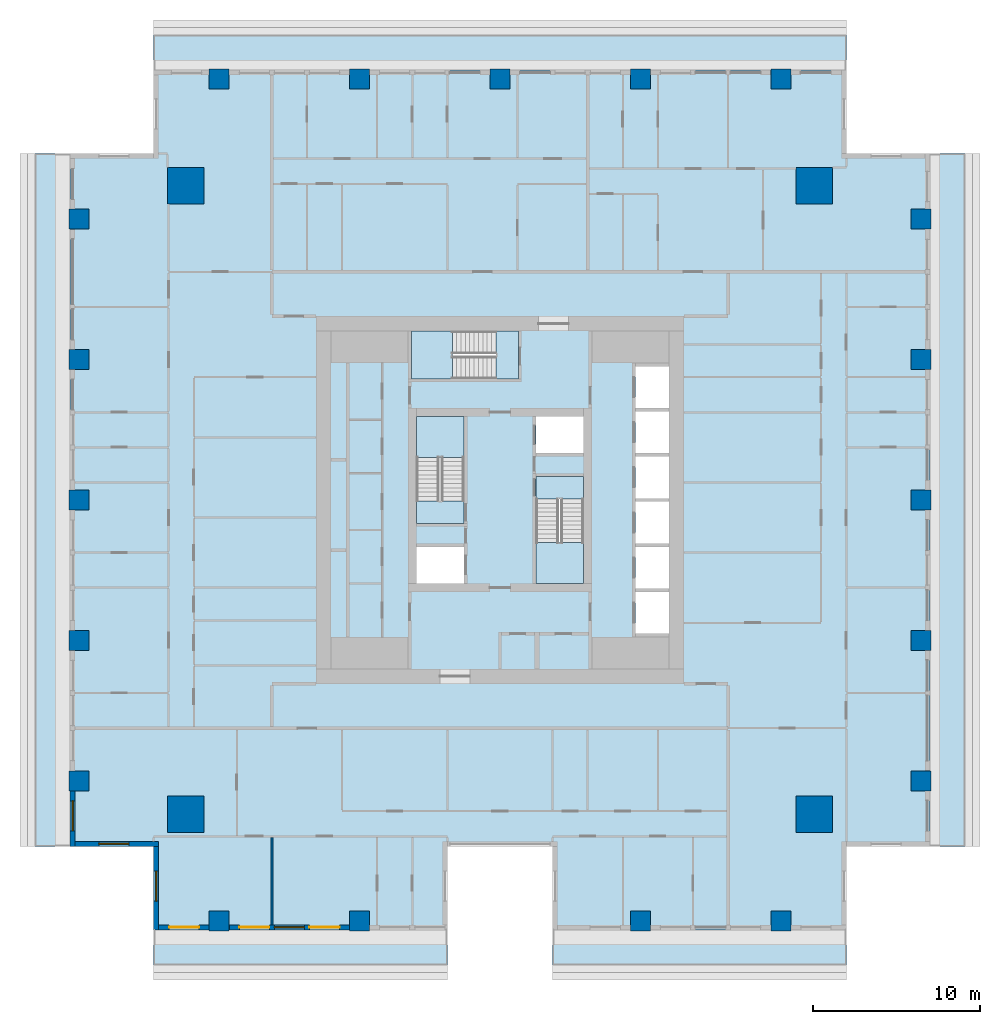
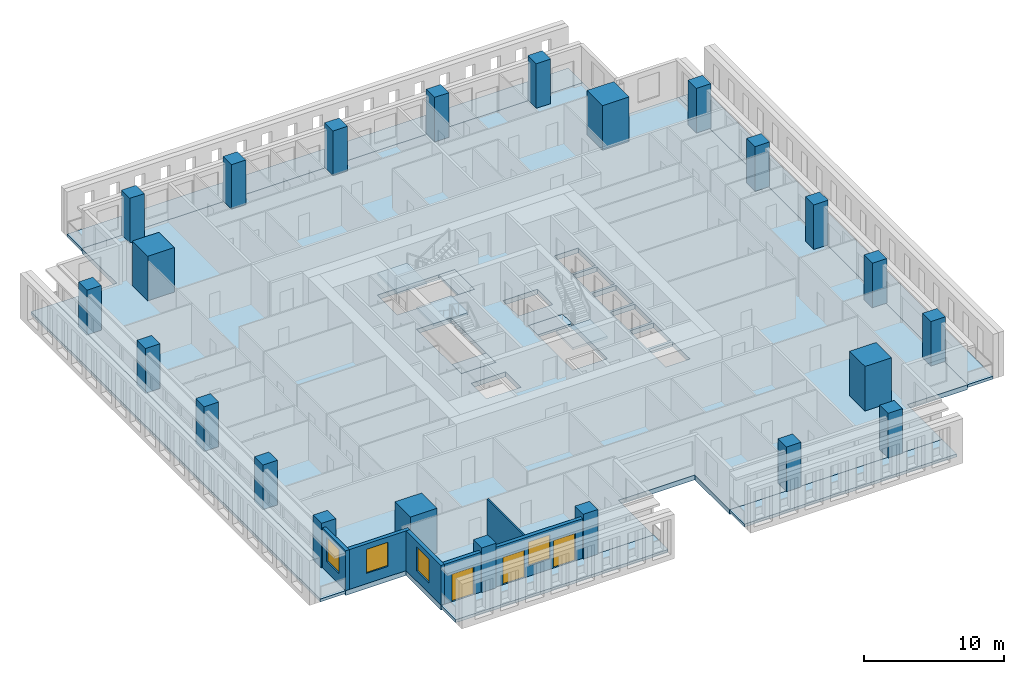
# One storey, part 1 of 15: 23 columns, 12 slabs, 6 walls, 4 windows, 3 doors, 7 openings, 3 elements without a shape of their own.
"""IFC4 building model written with IfcOpenShell, lengths in metres."""

from ifc_helpers import new_model, si_unit, direction, frame, frame_2d, origin, origin_2d, place, context, subcontext, project, spatial, polyline, rectangle, outline, extrude, material, layer, layer_set, material_profile, profile_set, type_object, element, fill, aggregate, save


model = new_model("IFC4")

# Units and contexts
model_context = context("Model", 3, precision=1e-05, world=origin(), true_north=direction((0.0, 1.0)))
body_context = subcontext(model_context, "Body", "Model", "MODEL_VIEW")
ifc_project = project(units=[si_unit("LENGTHUNIT", "METRE"), si_unit("AREAUNIT", "SQUARE_METRE"), si_unit("VOLUMEUNIT", "CUBIC_METRE"), si_unit("PLANEANGLEUNIT", "RADIAN"), si_unit("MASSUNIT", "GRAM", prefix="KILO")], contexts=[model_context])

# Site, building, storey
site_placement = place(None, origin())
site = spatial("IfcSite", under=ifc_project, at=site_placement, CompositionType="ELEMENT")
building_placement = place(site_placement, origin())
building = spatial("IfcBuilding", under=site, at=building_placement, Name="Khepri Terraces", CompositionType="ELEMENT")
storey_placement = place(building_placement, frame((0.0, 0.0, 244.5)))
storey = spatial("IfcBuildingStorey", under=building, at=storey_placement, Name="L58", CompositionType="ELEMENT", Elevation=244.5)

# Columns
ifc_material_1 = material(Name="Concrete C40/50", Category="concrete")
ifc_material_profile_1 = material_profile(ifc_material_1, rectangle(XDim=2.199951171875, YDim=2.199951171875, at=origin_2d()), Name="Concrete C40/50", Category="concrete")
ifc_profile_set_1 = profile_set([ifc_material_profile_1], Name="Concrete C40/50")
column_type_1 = type_object("IfcColumnType", Name="Mega column RC 2200x2200 C40/50", PredefinedType="COLUMN", material=ifc_profile_set_1)
for number, where, z_axis, x_axis, name in (
    (1, (18.800048828125, 18.800048828125, 0.0), (0.0, 0.0, 1.0), (1.0, 0.0, 0.0), "Mega column MEN L58"),
    (2, (18.800048828125, -18.800048828125, 0.0), (0.0, 0.0, 1.0), (1.0, 0.0, 0.0), "Mega column MES L58"),
    (3, (-18.800048828125, 18.800048828125, 0.0), (0.0, 0.0, 1.0), (1.0, 0.0, 0.0), "Mega column MWN L58"),
    (4, (-18.800048828125, -18.800048828125, 0.0), (0.0, 0.0, 1.0), (1.0, 0.0, 0.0), "Mega column MWS L58"),
):
    element("IfcColumn", number, at=place(storey_placement, frame(where, z_axis=z_axis, x_axis=x_axis)), inside=storey, type_object=column_type_1, Name=name, PredefinedType="COLUMN", context=body_context, shape_type="SweptSolid", body=[
        extrude(rectangle(XDim=2.199951171875, YDim=2.199951171875, at=origin_2d()), origin(), (0.0, 0.0, 1.0), 3.89990234375),
    ])
ifc_material_profile_2 = material_profile(ifc_material_1, rectangle(XDim=1.199951171875, YDim=1.199951171875, at=origin_2d()), Name="Concrete C40/50", Category="concrete")
ifc_profile_set_2 = profile_set([ifc_material_profile_2], Name="Concrete C40/50")
column_type_2 = type_object("IfcColumnType", Name="Tower column RC 1200x1200 C40/50", PredefinedType="COLUMN", material=ifc_profile_set_2)
for number, where, z_axis, x_axis, name in (
    (5, (25.199951171875, 0.0, 0.0), (0.0, 0.0, 1.0), (1.0, 0.0, 0.0), "Perimeter column PE+000b L58"),
    (6, (25.199951171875, 8.39990234375, 0.0), (0.0, 0.0, 1.0), (1.0, 0.0, 0.0), "Perimeter column PE+084b L58"),
    (7, (25.199951171875, 16.800048828125, 0.0), (0.0, 0.0, 1.0), (1.0, 0.0, 0.0), "Perimeter column PE+168a L58"),
    (8, (25.199951171875, -8.39990234375, 0.0), (0.0, 0.0, 1.0), (1.0, 0.0, 0.0), "Perimeter column PE-084b L58"),
    (9, (25.199951171875, -16.800048828125, 0.0), (0.0, 0.0, 1.0), (1.0, 0.0, 0.0), "Perimeter column PE-168a L58"),
    (10, (0.0, 25.199951171875, 0.0), (0.0, 0.0, 1.0), (1.0, 0.0, 0.0), "Perimeter column PN+000b L58"),
    (11, (-8.39990234375, 25.199951171875, 0.0), (0.0, 0.0, 1.0), (1.0, 0.0, 0.0), "Perimeter column PN+084b L58"),
    (12, (-16.800048828125, 25.199951171875, 0.0), (0.0, 0.0, 1.0), (1.0, 0.0, 0.0), "Perimeter column PN+168a L58"),
    (13, (8.39990234375, 25.199951171875, 0.0), (0.0, 0.0, 1.0), (1.0, 0.0, 0.0), "Perimeter column PN-084b L58"),
    (14, (16.800048828125, 25.199951171875, 0.0), (0.0, 0.0, 1.0), (1.0, 0.0, 0.0), "Perimeter column PN-168a L58"),
    (15, (8.39990234375, -25.199951171875, 0.0), (0.0, 0.0, 1.0), (1.0, 0.0, 0.0), "Perimeter column PS+084b L58"),
    (16, (16.800048828125, -25.199951171875, 0.0), (0.0, 0.0, 1.0), (1.0, 0.0, 0.0), "Perimeter column PS+168a L58"),
    (17, (-8.39990234375, -25.199951171875, 0.0), (0.0, 0.0, 1.0), (1.0, 0.0, 0.0), "Perimeter column PS-084b L58"),
    (18, (-16.800048828125, -25.199951171875, 0.0), (0.0, 0.0, 1.0), (1.0, 0.0, 0.0), "Perimeter column PS-168a L58"),
    (19, (-25.199951171875, 0.0, 0.0), (0.0, 0.0, 1.0), (1.0, 0.0, 0.0), "Perimeter column PW+000b L58"),
    (20, (-25.199951171875, -8.39990234375, 0.0), (0.0, 0.0, 1.0), (1.0, 0.0, 0.0), "Perimeter column PW+084b L58"),
    (21, (-25.199951171875, -16.800048828125, 0.0), (0.0, 0.0, 1.0), (1.0, 0.0, 0.0), "Perimeter column PW+168a L58"),
    (22, (-25.199951171875, 8.39990234375, 0.0), (0.0, 0.0, 1.0), (1.0, 0.0, 0.0), "Perimeter column PW-084b L58"),
    (23, (-25.199951171875, 16.800048828125, 0.0), (0.0, 0.0, 1.0), (1.0, 0.0, 0.0), "Perimeter column PW-168a L58"),
):
    element("IfcColumn", number, at=place(storey_placement, frame(where, z_axis=z_axis, x_axis=x_axis)), inside=storey, type_object=column_type_2, Name=name, PredefinedType="COLUMN", context=body_context, shape_type="SweptSolid", body=[
        extrude(rectangle(XDim=1.199951171875, YDim=1.199951171875, at=origin_2d()), origin(), (0.0, 0.0, 1.0), 3.89990234375),
    ])

# Slabs
ifc_layer_1 = layer(ifc_material_1, 0.419921875, Name="Concrete C40/50", Category="concrete")
ifc_layer_set_1 = layer_set([ifc_layer_1], Name="Concrete C40/50")
slab_type_1 = type_object("IfcSlabType", Name="Flat plate 420", PredefinedType="FLOOR", material=ifc_layer_set_1)
slab_1_placement = place(storey_placement, frame((0.0, 0.0, -0.419921875)))
element("IfcSlab", 24, at=slab_1_placement, inside=storey, type_object=slab_type_1, Name="Floor slab F01 L58", PredefinedType="FLOOR", context=body_context, shape_type="SweptSolid", body=[
    extrude(outline(polyline([(-20.719970703125, 25.719970703125), (20.719970703125, 25.719970703125), (20.719970703125, 20.719970703125), (25.719970703125, 20.719970703125), (25.719970703125, -20.719970703125), (20.719970703125, -20.719970703125), (20.719970703125, -25.719970703125), (3.14990234375, -25.719970703125), (3.14990234375, -20.719970703125), (-3.14990234375, -20.719970703125), (-3.14990234375, -25.719970703125), (-20.719970703125, -25.719970703125), (-20.719970703125, -20.719970703125), (-25.719970703125, -20.719970703125), (-25.719970703125, 20.719970703125), (-20.719970703125, 20.719970703125), (-20.719970703125, 25.719970703125)]), holes=[polyline([(2.14990234375, 2.800048828125), (5.0, 2.800048828125), (5.0, 5.0), (2.14990234375, 5.0), (2.14990234375, 2.800048828125)]), polyline([(-5.0, -2.800048828125), (-5.0, -5.0), (-2.14990234375, -5.0), (-2.14990234375, -2.800048828125), (-5.0, -2.800048828125)]), polyline([(10.10009765625, -5.5), (8.10009765625, -5.5), (8.10009765625, -8.0), (10.10009765625, -8.0), (10.10009765625, -5.5)]), polyline([(10.10009765625, -5.300048828125), (10.10009765625, -2.800048828125), (8.10009765625, -2.800048828125), (8.10009765625, -5.300048828125), (10.10009765625, -5.300048828125)]), polyline([(8.10009765625, -2.60009765625), (10.10009765625, -2.60009765625), (10.10009765625, -0.10009765625), (8.10009765625, -0.10009765625), (8.10009765625, -2.60009765625)]), polyline([(8.10009765625, 2.60009765625), (8.10009765625, 0.10009765625), (10.10009765625, 0.10009765625), (10.10009765625, 2.60009765625), (8.10009765625, 2.60009765625)]), polyline([(10.10009765625, 5.300048828125), (8.10009765625, 5.300048828125), (8.10009765625, 2.800048828125), (10.10009765625, 2.800048828125), (10.10009765625, 5.300048828125)]), polyline([(10.10009765625, 5.5), (10.10009765625, 8.0), (8.10009765625, 8.0), (8.10009765625, 5.5), (10.10009765625, 5.5)]), polyline([(-5.0, -1.39990234375), (-2.14990234375, -1.39990234375), (-2.14990234375, 5.0), (-5.0, 5.0), (-5.0, -1.39990234375)]), polyline([(5.0, -5.0), (5.0, 1.39990234375), (2.14990234375, 1.39990234375), (2.14990234375, -5.0), (5.0, -5.0)]), polyline([(-5.300048828125, 10.10009765625), (-5.300048828125, 7.25), (1.10009765625, 7.25), (1.10009765625, 10.10009765625), (-5.300048828125, 10.10009765625)])]), origin(), (0.0, 0.0, 1.0), 0.419921875),
])
ifc_material_2 = material(Name="Precast concrete C50/60 warm stone", Category="masonry")
ifc_layer_2 = layer(ifc_material_2, 0.25, Name="Precast concrete C50/60 warm stone", Category="masonry")
ifc_layer_set_2 = layer_set([ifc_layer_2], Name="Precast concrete C50/60 warm stone")
slab_type_2 = type_object("IfcSlabType", Name="SLB-BALCONY-250", PredefinedType="FLOOR", material=ifc_layer_set_2)
slab_2_placement = place(storey_placement, frame((0.0, 0.0, -0.25)))
element("IfcSlab", 25, at=slab_2_placement, inside=storey, type_object=slab_type_2, Name="Balcony slab L58 S", PredefinedType="FLOOR", context=body_context, shape_type="SweptSolid", body=[
    extrude(outline(polyline([(-17.39990234375, -25.719970703125), (-20.719970703125, -25.719970703125), (-20.719970703125, -27.820068359375), (-3.14990234375, -27.820068359375), (-3.14990234375, -25.719970703125), (-7.800048828125, -25.719970703125), (-7.800048828125, -25.800048828125), (-9.0, -25.800048828125), (-9.0, -25.719970703125), (-16.199951171875, -25.719970703125), (-16.199951171875, -25.800048828125), (-17.39990234375, -25.800048828125), (-17.39990234375, -25.719970703125)])), origin(), (0.0, 0.0, 1.0), 0.25),
])
slab_3_placement = place(storey_placement, frame((0.0, 0.0, -0.25)))
element("IfcSlab", 26, at=slab_3_placement, inside=storey, type_object=slab_type_2, Name="Balcony slab L58 S", PredefinedType="FLOOR", context=body_context, shape_type="SweptSolid", body=[
    extrude(outline(polyline([(7.800048828125, -25.719970703125), (3.14990234375, -25.719970703125), (3.14990234375, -27.820068359375), (20.719970703125, -27.820068359375), (20.719970703125, -25.719970703125), (17.39990234375, -25.719970703125), (17.39990234375, -25.800048828125), (16.199951171875, -25.800048828125), (16.199951171875, -25.719970703125), (9.0, -25.719970703125), (9.0, -25.800048828125), (7.800048828125, -25.800048828125), (7.800048828125, -25.719970703125)])), origin(), (0.0, 0.0, 1.0), 0.25),
])
slab_4_placement = place(storey_placement, frame((0.0, 0.0, -0.25)))
element("IfcSlab", 27, at=slab_4_placement, inside=storey, type_object=slab_type_2, Name="Balcony slab L58 E", PredefinedType="FLOOR", context=body_context, shape_type="SweptSolid", body=[
    extrude(outline(polyline([(25.719970703125, -17.39990234375), (25.719970703125, -20.719970703125), (27.820068359375, -20.719970703125), (27.820068359375, 20.719970703125), (25.719970703125, 20.719970703125), (25.719970703125, 17.39990234375), (25.800048828125, 17.39990234375), (25.800048828125, 16.199951171875), (25.719970703125, 16.199951171875), (25.719970703125, 9.0), (25.800048828125, 9.0), (25.800048828125, 7.800048828125), (25.719970703125, 7.800048828125), (25.719970703125, 0.60009765625), (25.800048828125, 0.60009765625), (25.800048828125, -0.60009765625), (25.719970703125, -0.60009765625), (25.719970703125, -7.800048828125), (25.800048828125, -7.800048828125), (25.800048828125, -9.0), (25.719970703125, -9.0), (25.719970703125, -16.199951171875), (25.800048828125, -16.199951171875), (25.800048828125, -17.39990234375), (25.719970703125, -17.39990234375)])), origin(), (0.0, 0.0, 1.0), 0.25),
])
slab_5_placement = place(storey_placement, frame((0.0, 0.0, -0.25)))
element("IfcSlab", 28, at=slab_5_placement, inside=storey, type_object=slab_type_2, Name="Balcony slab L58 N", PredefinedType="FLOOR", context=body_context, shape_type="SweptSolid", body=[
    extrude(outline(polyline([(17.39990234375, 25.719970703125), (20.719970703125, 25.719970703125), (20.719970703125, 27.820068359375), (-20.719970703125, 27.820068359375), (-20.719970703125, 25.719970703125), (-17.39990234375, 25.719970703125), (-17.39990234375, 25.800048828125), (-16.199951171875, 25.800048828125), (-16.199951171875, 25.719970703125), (-9.0, 25.719970703125), (-9.0, 25.800048828125), (-7.800048828125, 25.800048828125), (-7.800048828125, 25.719970703125), (-0.60009765625, 25.719970703125), (-0.60009765625, 25.800048828125), (0.60009765625, 25.800048828125), (0.60009765625, 25.719970703125), (7.800048828125, 25.719970703125), (7.800048828125, 25.800048828125), (9.0, 25.800048828125), (9.0, 25.719970703125), (16.199951171875, 25.719970703125), (16.199951171875, 25.800048828125), (17.39990234375, 25.800048828125), (17.39990234375, 25.719970703125)])), origin(), (0.0, 0.0, 1.0), 0.25),
])
slab_6_placement = place(storey_placement, frame((0.0, 0.0, -0.25)))
element("IfcSlab", 29, at=slab_6_placement, inside=storey, type_object=slab_type_2, Name="Balcony slab L58 W", PredefinedType="FLOOR", context=body_context, shape_type="SweptSolid", body=[
    extrude(outline(polyline([(-25.719970703125, 17.39990234375), (-25.719970703125, 20.719970703125), (-27.820068359375, 20.719970703125), (-27.820068359375, -20.719970703125), (-25.719970703125, -20.719970703125), (-25.719970703125, -17.39990234375), (-25.800048828125, -17.39990234375), (-25.800048828125, -16.199951171875), (-25.719970703125, -16.199951171875), (-25.719970703125, -9.0), (-25.800048828125, -9.0), (-25.800048828125, -7.800048828125), (-25.719970703125, -7.800048828125), (-25.719970703125, -0.60009765625), (-25.800048828125, -0.60009765625), (-25.800048828125, 0.60009765625), (-25.719970703125, 0.60009765625), (-25.719970703125, 7.800048828125), (-25.800048828125, 7.800048828125), (-25.800048828125, 9.0), (-25.719970703125, 9.0), (-25.719970703125, 16.199951171875), (-25.800048828125, 16.199951171875), (-25.800048828125, 17.39990234375), (-25.719970703125, 17.39990234375)])), origin(), (0.0, 0.0, 1.0), 0.25),
])

# Stair, slabs
stair_type = type_object("IfcStairType", Name="STAIR-RC-22R", PredefinedType="HALF_TURN_STAIR", material=ifc_material_1)
stair_1_placement = place(storey_placement, origin())
stair_1 = element("IfcStair", 30, at=stair_1_placement, inside=storey, type_object=stair_type, Name="L58 Exit Stair ST-1", PredefinedType="HALF_TURN_STAIR")
ifc_layer_3 = layer(ifc_material_1, 0.199951171875, Name="Concrete C40/50", Category="concrete")
ifc_layer_set_3 = layer_set([ifc_layer_3], Name="Concrete C40/50")
slab_type_3 = type_object("IfcSlabType", Name="SLB-CORE-LANDING", PredefinedType="LANDING", material=ifc_layer_set_3)
slab_7_placement = place(storey_placement, frame((0.0, 0.0, -0.199951171875)))
slab_7 = element("IfcSlab", 31, at=slab_7_placement, type_object=slab_type_3, Name="ST-1 landing 1", PredefinedType="LANDING", context=body_context, shape_type="SweptSolid", body=[
    extrude(outline(polyline([(-2.14990234375, -1.39990234375), (-2.14990234375, -0.050048828125), (-5.0, -0.050048828125), (-5.0, -1.39990234375), (-2.14990234375, -1.39990234375)])), origin(), (0.0, 0.0, 1.0), 0.199951171875),
])
slab_8_placement = place(storey_placement, frame((0.0, 0.0, 1.75)))
slab_8 = element("IfcSlab", 32, at=slab_8_placement, type_object=slab_type_3, Name="ST-1 landing 2", PredefinedType="LANDING", context=body_context, shape_type="SweptSolid", body=[
    extrude(outline(polyline([(-2.14990234375, 2.550048828125), (-2.14990234375, 5.0), (-5.0, 5.0), (-5.0, 2.550048828125), (-2.14990234375, 2.550048828125)])), origin(), (0.0, 0.0, 1.0), 0.199951171875),
])
aggregate(stair_1, [slab_7, slab_8])

stair_2_placement = place(storey_placement, origin())
stair_2 = element("IfcStair", 33, at=stair_2_placement, inside=storey, type_object=stair_type, Name="L58 Exit Stair ST-2", PredefinedType="HALF_TURN_STAIR")
slab_9_placement = place(storey_placement, frame((0.0, 0.0, -0.199951171875)))
slab_9 = element("IfcSlab", 34, at=slab_9_placement, type_object=slab_type_3, Name="ST-2 landing 1", PredefinedType="LANDING", context=body_context, shape_type="SweptSolid", body=[
    extrude(outline(polyline([(2.14990234375, 1.39990234375), (2.14990234375, 0.050048828125), (5.0, 0.050048828125), (5.0, 1.39990234375), (2.14990234375, 1.39990234375)])), origin(), (0.0, 0.0, 1.0), 0.199951171875),
])
slab_10_placement = place(storey_placement, frame((0.0, 0.0, 1.75)))
slab_10 = element("IfcSlab", 35, at=slab_10_placement, type_object=slab_type_3, Name="ST-2 landing 2", PredefinedType="LANDING", context=body_context, shape_type="SweptSolid", body=[
    extrude(outline(polyline([(2.14990234375, -2.550048828125), (2.14990234375, -5.0), (5.0, -5.0), (5.0, -2.550048828125), (2.14990234375, -2.550048828125)])), origin(), (0.0, 0.0, 1.0), 0.199951171875),
])
aggregate(stair_2, [slab_9, slab_10])

stair_3_placement = place(storey_placement, origin())
stair_3 = element("IfcStair", 36, at=stair_3_placement, inside=storey, type_object=stair_type, Name="L58 Exit Stair ST-3", PredefinedType="HALF_TURN_STAIR")
slab_11_placement = place(storey_placement, frame((0.0, 0.0, -0.199951171875)))
slab_11 = element("IfcSlab", 37, at=slab_11_placement, type_object=slab_type_3, Name="ST-3 landing 1", PredefinedType="LANDING", context=body_context, shape_type="SweptSolid", body=[
    extrude(outline(polyline([(1.10009765625, 10.10009765625), (-0.25, 10.10009765625), (-0.25, 7.25), (1.10009765625, 7.25), (1.10009765625, 10.10009765625)])), origin(), (0.0, 0.0, 1.0), 0.199951171875),
])
slab_12_placement = place(storey_placement, frame((0.0, 0.0, 1.75)))
slab_12 = element("IfcSlab", 38, at=slab_12_placement, type_object=slab_type_3, Name="ST-3 landing 2", PredefinedType="LANDING", context=body_context, shape_type="SweptSolid", body=[
    extrude(outline(polyline([(-2.85009765625, 10.10009765625), (-5.300048828125, 10.10009765625), (-5.300048828125, 7.25), (-2.85009765625, 7.25), (-2.85009765625, 10.10009765625)])), origin(), (0.0, 0.0, 1.0), 0.199951171875),
])
aggregate(stair_3, [slab_11, slab_12])

# Wall, opening, window
ifc_layer_4 = layer(ifc_material_2, 0.300048828125, Name="Precast concrete C50/60 warm stone", Category="masonry")
ifc_layer_set_4 = layer_set([ifc_layer_4], Name="Precast concrete C50/60 warm stone")
wall_type_1 = type_object("IfcWallType", Name="WL-EXT-PRECAST-300", PredefinedType="STANDARD", material=ifc_layer_set_4)
wall_1_placement = place(storey_placement, frame((-25.570068359375, -17.39990234375, 0.0), z_axis=(0.0, 0.0, 1.0), x_axis=(0.0, -1.0, 0.0)))
wall_1 = element("IfcWall", 39, at=wall_1_placement, inside=storey, type_object=wall_type_1, Name="External wall L58 W", PredefinedType="STANDARD", context=body_context, shape_type="SweptSolid", body=[
    extrude(rectangle(XDim=3.320068359375, YDim=0.300048828125, at=frame_2d((1.66015625, 0.0))), origin(), (0.0, 0.0, 1.0), 3.47998046875),
])
opening_1_placement = place(wall_1_placement, frame((0.60009765625, 0.0, 0.89990234375)))
opening_1 = element("IfcOpeningElement", 40, at=opening_1_placement, cuts=wall_1, Name="Opening W1", PredefinedType="OPENING", context=body_context, shape_type="SweptSolid", body=[
    extrude(rectangle(XDim=1.800048828125, YDim=2.10009765625, at=frame_2d((0.89990234375, 1.050048828125))), frame((0.0, 0.16015625, 0.0), z_axis=(0.0, -1.0, 0.0), x_axis=(1.0, 0.0, 0.0)), (0.0, 0.0, 1.0), 0.320068359375),
])
ifc_material_3 = material(Name="Clear glass", Category="glass")
window_type = type_object("IfcWindowType", Name="WIN-RES-1800x2100", PartitioningType="SINGLE_PANEL", PredefinedType="WINDOW", material=ifc_material_3)
window_1_placement = place(opening_1_placement, origin())
window_1 = element("IfcWindow", 41, at=window_1_placement, inside=storey, type_object=window_type, Name="Window L58 W", OverallHeight=2.10009765625, OverallWidth=1.800048828125, PartitioningType="SINGLE_PANEL", PredefinedType="WINDOW", context=body_context, shape_type="SweptSolid", body=[
    extrude(rectangle(XDim=1.800048828125, YDim=2.10009765625, at=frame_2d((0.89990234375, 1.050048828125))), frame((0.0, 0.030029296875, 0.0), z_axis=(0.0, -1.0, 0.0), x_axis=(1.0, 0.0, 0.0)), (0.0, 0.0, 1.0), 0.06005859375),
])
fill(opening_1, window_1)

wall_2_placement = place(storey_placement, frame((-25.419921875, -20.570068359375, 0.0), z_axis=(0.0, 0.0, 1.0), x_axis=(1.0, 0.0, 0.0)))
wall_2 = element("IfcWall", 42, at=wall_2_placement, inside=storey, type_object=wall_type_1, Name="External wall L58 S", PredefinedType="STANDARD", context=body_context, shape_type="SweptSolid", body=[
    extrude(rectangle(XDim=5.0, YDim=0.300048828125, at=frame_2d((2.5, 0.0))), origin(), (0.0, 0.0, 1.0), 3.47998046875),
])
opening_2_placement = place(wall_2_placement, frame((1.419921875, 0.0, 0.89990234375)))
opening_2 = element("IfcOpeningElement", 43, at=opening_2_placement, cuts=wall_2, Name="Opening W1", PredefinedType="OPENING", context=body_context, shape_type="SweptSolid", body=[
    extrude(rectangle(XDim=1.800048828125, YDim=2.10009765625, at=frame_2d((0.89990234375, 1.050048828125))), frame((0.0, 0.16015625, 0.0), z_axis=(0.0, -1.0, 0.0), x_axis=(1.0, 0.0, 0.0)), (0.0, 0.0, 1.0), 0.320068359375),
])
window_2_placement = place(opening_2_placement, origin())
window_2 = element("IfcWindow", 44, at=window_2_placement, inside=storey, type_object=window_type, Name="Window L58 S", OverallHeight=2.10009765625, OverallWidth=1.800048828125, PartitioningType="SINGLE_PANEL", PredefinedType="WINDOW", context=body_context, shape_type="SweptSolid", body=[
    extrude(rectangle(XDim=1.800048828125, YDim=2.10009765625, at=frame_2d((0.89990234375, 1.050048828125))), frame((0.0, 0.030029296875, 0.0), z_axis=(0.0, -1.0, 0.0), x_axis=(1.0, 0.0, 0.0)), (0.0, 0.0, 1.0), 0.06005859375),
])
fill(opening_2, window_2)

wall_3_placement = place(storey_placement, frame((-20.570068359375, -20.719970703125, 0.0), z_axis=(0.0, 0.0, 1.0), x_axis=(0.0, -1.0, 0.0)))
wall_3 = element("IfcWall", 45, at=wall_3_placement, inside=storey, type_object=wall_type_1, Name="External wall L58 W", PredefinedType="STANDARD", context=body_context, shape_type="SweptSolid", body=[
    extrude(rectangle(XDim=5.0, YDim=0.300048828125, at=frame_2d((2.5, 0.0))), origin(), (0.0, 0.0, 1.0), 3.47998046875),
])
opening_3_placement = place(wall_3_placement, frame((1.47998046875, 0.0, 0.89990234375)))
opening_3 = element("IfcOpeningElement", 46, at=opening_3_placement, cuts=wall_3, Name="Opening W1", PredefinedType="OPENING", context=body_context, shape_type="SweptSolid", body=[
    extrude(rectangle(XDim=1.800048828125, YDim=2.10009765625, at=frame_2d((0.89990234375, 1.050048828125))), frame((0.0, 0.16015625, 0.0), z_axis=(0.0, -1.0, 0.0), x_axis=(1.0, 0.0, 0.0)), (0.0, 0.0, 1.0), 0.320068359375),
])
window_3_placement = place(opening_3_placement, origin())
window_3 = element("IfcWindow", 47, at=window_3_placement, inside=storey, type_object=window_type, Name="Window L58 W", OverallHeight=2.10009765625, OverallWidth=1.800048828125, PartitioningType="SINGLE_PANEL", PredefinedType="WINDOW", context=body_context, shape_type="SweptSolid", body=[
    extrude(rectangle(XDim=1.800048828125, YDim=2.10009765625, at=frame_2d((0.89990234375, 1.050048828125))), frame((0.0, 0.030029296875, 0.0), z_axis=(0.0, -1.0, 0.0), x_axis=(1.0, 0.0, 0.0)), (0.0, 0.0, 1.0), 0.06005859375),
])
fill(opening_3, window_3)

# Wall, opening, door
wall_4_placement = place(storey_placement, frame((-20.419921875, -25.570068359375, 0.0), z_axis=(0.0, 0.0, 1.0), x_axis=(1.0, 0.0, 0.0)))
wall_4 = element("IfcWall", 48, at=wall_4_placement, inside=storey, type_object=wall_type_1, Name="External wall L58 S", PredefinedType="STANDARD", context=body_context, shape_type="SweptSolid", body=[
    extrude(rectangle(XDim=3.02001953125, YDim=0.300048828125, at=frame_2d((1.510009765625, 0.0))), origin(), (0.0, 0.0, 1.0), 3.47998046875),
])
opening_4_placement = place(wall_4_placement, frame((0.6201171875, 0.0, 0.0)))
opening_4 = element("IfcOpeningElement", 49, at=opening_4_placement, cuts=wall_4, Name="Opening ED-L58-16", PredefinedType="OPENING", context=body_context, shape_type="SweptSolid", body=[
    extrude(rectangle(XDim=1.800048828125, YDim=2.39990234375, at=frame_2d((0.89990234375, 1.199951171875))), frame((0.0, 0.16015625, 0.0), z_axis=(0.0, -1.0, 0.0), x_axis=(1.0, 0.0, 0.0)), (0.0, 0.0, 1.0), 0.320068359375),
])
ifc_material_4 = material(Name="Anodised aluminium bronze glazed door", Category="aluminium")
door_type = type_object("IfcDoorType", Name="DR-BAL-SLIDE-1800x2400", OperationType="NOTDEFINED", PredefinedType="DOOR", material=ifc_material_4)
door_1_placement = place(opening_4_placement, origin())
door_1 = element("IfcDoor", 50, at=door_1_placement, inside=storey, type_object=door_type, Name="Balcony door L58 S", OperationType="SLIDING_TO_RIGHT", OverallHeight=2.39990234375, OverallWidth=1.800048828125, PredefinedType="DOOR", context=body_context, shape_type="SweptSolid", body=[
    extrude(rectangle(XDim=1.800048828125, YDim=2.39990234375, at=frame_2d((0.89990234375, 1.199951171875))), frame((0.0, 0.02490234375, 0.0), z_axis=(0.0, -1.0, 0.0), x_axis=(1.0, 0.0, 0.0)), (0.0, 0.0, 1.0), 0.050048828125),
])
fill(opening_4, door_1)

# Wall, openings, doors, window
wall_5_placement = place(storey_placement, frame((-16.199951171875, -25.570068359375, 0.0), z_axis=(0.0, 0.0, 1.0), x_axis=(1.0, 0.0, 0.0)))
wall_5 = element("IfcWall", 51, at=wall_5_placement, inside=storey, type_object=wall_type_1, Name="External wall L58 S", PredefinedType="STANDARD", context=body_context, shape_type="SweptSolid", body=[
    extrude(rectangle(XDim=7.199951171875, YDim=0.300048828125, at=frame_2d((3.60009765625, 0.0))), origin(), (0.0, 0.0, 1.0), 3.47998046875),
])
opening_5_placement = place(wall_5_placement, frame((0.60009765625, 0.0, 0.0)))
opening_5 = element("IfcOpeningElement", 52, at=opening_5_placement, cuts=wall_5, Name="Opening ED-L58-17", PredefinedType="OPENING", context=body_context, shape_type="SweptSolid", body=[
    extrude(rectangle(XDim=1.800048828125, YDim=2.39990234375, at=frame_2d((0.89990234375, 1.199951171875))), frame((0.0, 0.16015625, 0.0), z_axis=(0.0, -1.0, 0.0), x_axis=(1.0, 0.0, 0.0)), (0.0, 0.0, 1.0), 0.320068359375),
])
opening_6_placement = place(wall_5_placement, frame((2.699951171875, 0.0, 0.89990234375)))
opening_6 = element("IfcOpeningElement", 53, at=opening_6_placement, cuts=wall_5, Name="Opening W1", PredefinedType="OPENING", context=body_context, shape_type="SweptSolid", body=[
    extrude(rectangle(XDim=1.800048828125, YDim=2.10009765625, at=frame_2d((0.89990234375, 1.050048828125))), frame((0.0, 0.16015625, 0.0), z_axis=(0.0, -1.0, 0.0), x_axis=(1.0, 0.0, 0.0)), (0.0, 0.0, 1.0), 0.320068359375),
])
opening_7_placement = place(wall_5_placement, frame((4.800048828125, 0.0, 0.0)))
opening_7 = element("IfcOpeningElement", 54, at=opening_7_placement, cuts=wall_5, Name="Opening ED-L58-18", PredefinedType="OPENING", context=body_context, shape_type="SweptSolid", body=[
    extrude(rectangle(XDim=1.800048828125, YDim=2.39990234375, at=frame_2d((0.89990234375, 1.199951171875))), frame((0.0, 0.16015625, 0.0), z_axis=(0.0, -1.0, 0.0), x_axis=(1.0, 0.0, 0.0)), (0.0, 0.0, 1.0), 0.320068359375),
])
door_2_placement = place(opening_5_placement, origin())
door_2 = element("IfcDoor", 55, at=door_2_placement, inside=storey, type_object=door_type, Name="Balcony door L58 S", OperationType="SLIDING_TO_LEFT", OverallHeight=2.39990234375, OverallWidth=1.800048828125, PredefinedType="DOOR", context=body_context, shape_type="SweptSolid", body=[
    extrude(rectangle(XDim=1.800048828125, YDim=2.39990234375, at=frame_2d((0.89990234375, 1.199951171875))), frame((0.0, 0.02490234375, 0.0), z_axis=(0.0, -1.0, 0.0), x_axis=(1.0, 0.0, 0.0)), (0.0, 0.0, 1.0), 0.050048828125),
])
fill(opening_5, door_2)
door_3_placement = place(opening_7_placement, origin())
door_3 = element("IfcDoor", 56, at=door_3_placement, inside=storey, type_object=door_type, Name="Balcony door L58 S", OperationType="SLIDING_TO_RIGHT", OverallHeight=2.39990234375, OverallWidth=1.800048828125, PredefinedType="DOOR", context=body_context, shape_type="SweptSolid", body=[
    extrude(rectangle(XDim=1.800048828125, YDim=2.39990234375, at=frame_2d((0.89990234375, 1.199951171875))), frame((0.0, 0.02490234375, 0.0), z_axis=(0.0, -1.0, 0.0), x_axis=(1.0, 0.0, 0.0)), (0.0, 0.0, 1.0), 0.050048828125),
])
fill(opening_7, door_3)
window_4_placement = place(opening_6_placement, origin())
window_4 = element("IfcWindow", 57, at=window_4_placement, inside=storey, type_object=window_type, Name="Window L58 S", OverallHeight=2.10009765625, OverallWidth=1.800048828125, PartitioningType="SINGLE_PANEL", PredefinedType="WINDOW", context=body_context, shape_type="SweptSolid", body=[
    extrude(rectangle(XDim=1.800048828125, YDim=2.10009765625, at=frame_2d((0.89990234375, 1.050048828125))), frame((0.0, 0.030029296875, 0.0), z_axis=(0.0, -1.0, 0.0), x_axis=(1.0, 0.0, 0.0)), (0.0, 0.0, 1.0), 0.06005859375),
])
fill(opening_6, window_4)

# Wall
ifc_material_5 = material(Name="Gypsum plasterboard partition")
ifc_layer_5 = layer(ifc_material_5, 0.1201171875, Name="Gypsum plasterboard partition")
ifc_layer_set_5 = layer_set([ifc_layer_5], Name="Gypsum plasterboard partition")
wall_type_2 = type_object("IfcWallType", Name="WL-PART-120", PredefinedType="PARTITIONING", material=ifc_layer_set_5)
wall_6_placement = place(storey_placement, frame((-13.64990234375, -25.419921875, 0.0), z_axis=(0.0, 0.0, 1.0), x_axis=(0.0, 1.0, 0.0)))
element("IfcWall", 58, at=wall_6_placement, inside=storey, type_object=wall_type_2, Name="Partition P-001 L58", PredefinedType="PARTITIONING", context=body_context, shape_type="SweptSolid", body=[
    extrude(rectangle(XDim=5.239990234375, YDim=0.1201171875, at=frame_2d((2.6201171875, 0.0))), origin(), (0.0, 0.0, 1.0), 3.47998046875),
])

save(model, "model.ifc")
